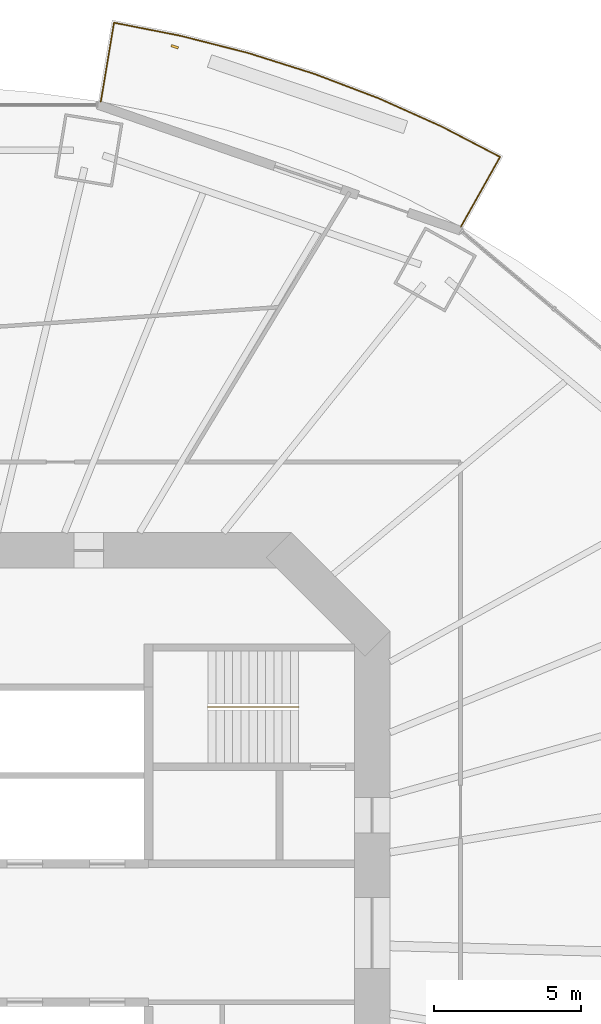
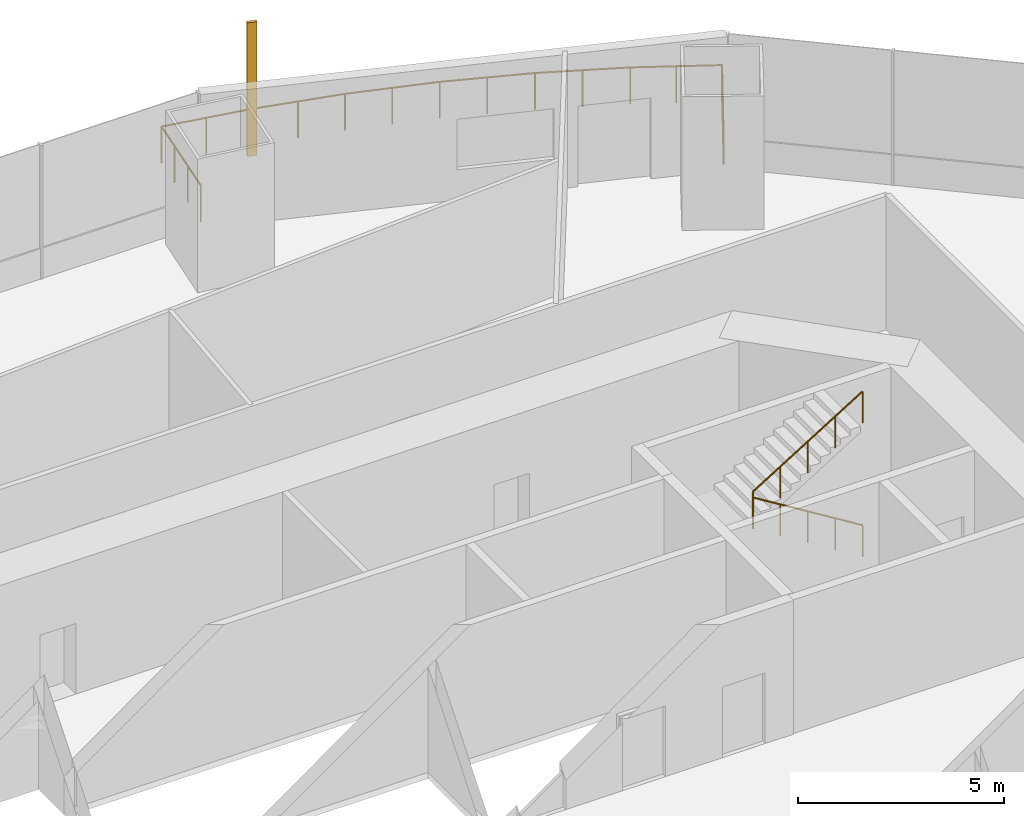
# One storey, part 20 of 22: 2 railings, 1 shading device.
"""IFC4 building model written with IfcOpenShell, lengths in metres."""

from ifc_helpers import new_model, si_unit, direction, frame, origin, origin_2d, place, context, subcontext, project, spatial, rectangle, circle, extrude, material, material_profile, profile_set, type_object, element, save


model = new_model("IFC4")

# Units and contexts
model_context = context("Model", 3, precision=1e-05, world=origin(), true_north=direction((0.0, 1.0)))
body_context = subcontext(model_context, "Body", "Model", "MODEL_VIEW")
ifc_project = project(units=[si_unit("LENGTHUNIT", "METRE"), si_unit("AREAUNIT", "SQUARE_METRE"), si_unit("VOLUMEUNIT", "CUBIC_METRE"), si_unit("PLANEANGLEUNIT", "RADIAN"), si_unit("MASSUNIT", "GRAM", prefix="KILO")], contexts=[model_context])

# Site, building, storey
site_placement = place(None, origin())
site = spatial("IfcSite", under=ifc_project, at=site_placement, CompositionType="ELEMENT")
building_placement = place(site_placement, origin())
building = spatial("IfcBuilding", under=site, at=building_placement, Name="Marenthal Gate Tower", CompositionType="ELEMENT")
storey_placement = place(building_placement, frame((0.0, 0.0, 111.85009765625)))
storey = spatial("IfcBuildingStorey", under=building, at=storey_placement, Name="L23", CompositionType="ELEMENT", Elevation=111.85009765625)

# Railings
ifc_material_1 = material(Name="Stainless steel", Category="steel")
railing_type_1 = type_object("IfcRailingType", Name="Balcony guard 1100", PredefinedType="GUARDRAIL", material=ifc_material_1)
railing_1_placement = place(storey_placement, frame((6.779541015625, 28.241455078125, 0.0)))
element("IfcRailing", 1, at=railing_1_placement, inside=storey, type_object=railing_type_1, Name="Balcony guard L23 bay 3", PredefinedType="GUARDRAIL", context=body_context, shape_type="SweptSolid", body=[
    extrude(circle(Radius=0.02392578125, at=origin_2d()), frame((0.0, 0.0, 1.076171875), z_axis=(0.164686797849, 0.986236088047, -0.014718602097), x_axis=(-0.986342933143, 0.164704639396, 0.0)), (0.0, 0.0, 1.0), 2.72021484375),
    extrude(circle(Radius=0.02392578125, at=origin_2d()), frame((0.447998046875, 2.682861328125, 1.0361328125), z_axis=(0.981215853429, -0.192913060677, 0.0), x_axis=(0.192913060677, 0.981215853429, 0.0)), (0.0, 0.0, 1.0), 2.302001953125),
    extrude(circle(Radius=0.02392578125, at=origin_2d()), frame((2.706787109375, 2.23876953125, 1.0361328125), z_axis=(0.969104776695, -0.246649410675, 0.0), x_axis=(0.246649410675, 0.969104776695, 0.0)), (0.0, 0.0, 1.0), 2.37255859375),
    extrude(circle(Radius=0.02392578125, at=origin_2d()), frame((5.006103515625, 1.653564453125, 1.0361328125), z_axis=(0.953609232067, -0.30104722639, 0.0), x_axis=(0.30104722639, 0.953609232067, 0.0)), (0.0, 0.0, 1.0), 2.36083984375),
    extrude(circle(Radius=0.02392578125, at=origin_2d()), frame((7.25732421875, 0.94287109375, 1.0361328125), z_axis=(0.934764240257, -0.35526865206, 0.0), x_axis=(0.35526865206, 0.934764240257, 0.0)), (0.0, 0.0, 1.0), 2.347412109375),
    extrude(circle(Radius=0.02392578125, at=origin_2d()), frame((9.45166015625, 0.10888671875, 1.0361328125), z_axis=(0.912494502903, -0.409088966083, 0.0), x_axis=(0.409088966083, 0.912494502903, 0.0)), (0.0, 0.0, 1.0), 2.332275390625),
    extrude(circle(Radius=0.02392578125, at=origin_2d()), frame((11.579833984375, -0.84521484375, 1.0361328125), z_axis=(0.887125590865, -0.461528098855, 0.0), x_axis=(0.461528098855, 0.887125590865, 0.0)), (0.0, 0.0, 1.0), 2.235595703125),
    extrude(circle(Radius=0.02392578125, at=origin_2d()), frame((13.56298828125, -1.876953125, 1.0361328125), z_axis=(-0.489197979897, -0.87204857286, 0.014718119373), x_axis=(0.872143041114, -0.489250974283, 0.0)), (0.0, 0.0, 1.0), 2.720458984375),
    extrude(circle(Radius=0.02099609375, at=origin_2d()), origin(), (0.0, 0.0, 1.0), 1.052001953125),
    extrude(circle(Radius=0.02099609375, at=origin_2d()), frame((0.1494140625, 0.894287109375, -0.013427734375)), (0.0, 0.0, 1.0), 1.052001953125),
    extrude(circle(Radius=0.02099609375, at=origin_2d()), frame((0.298583984375, 1.78857421875, -0.026611328125)), (0.0, 0.0, 1.0), 1.052001953125),
    extrude(circle(Radius=0.02099609375, at=origin_2d()), frame((0.447998046875, 2.682861328125, -0.0400390625)), (0.0, 0.0, 1.0), 1.052001953125),
    extrude(circle(Radius=0.02099609375, at=origin_2d()), frame((1.577392578125, 2.4609375, -0.0400390625)), (0.0, 0.0, 1.0), 1.052001953125),
    extrude(circle(Radius=0.02099609375, at=origin_2d()), frame((2.706787109375, 2.23876953125, -0.0400390625)), (0.0, 0.0, 1.0), 1.052001953125),
    extrude(circle(Radius=0.02099609375, at=origin_2d()), frame((3.8564453125, 1.9462890625, -0.0400390625)), (0.0, 0.0, 1.0), 1.052001953125),
    extrude(circle(Radius=0.02099609375, at=origin_2d()), frame((5.006103515625, 1.653564453125, -0.0400390625)), (0.0, 0.0, 1.0), 1.052001953125),
    extrude(circle(Radius=0.02099609375, at=origin_2d()), frame((6.1318359375, 1.29833984375, -0.0400390625)), (0.0, 0.0, 1.0), 1.052001953125),
    extrude(circle(Radius=0.02099609375, at=origin_2d()), frame((7.25732421875, 0.94287109375, -0.0400390625)), (0.0, 0.0, 1.0), 1.052001953125),
    extrude(circle(Radius=0.02099609375, at=origin_2d()), frame((8.3544921875, 0.52587890625, -0.0400390625)), (0.0, 0.0, 1.0), 1.052001953125),
    extrude(circle(Radius=0.02099609375, at=origin_2d()), frame((9.45166015625, 0.10888671875, -0.0400390625)), (0.0, 0.0, 1.0), 1.052001953125),
    extrude(circle(Radius=0.02099609375, at=origin_2d()), frame((10.515625, -0.3681640625, -0.0400390625)), (0.0, 0.0, 1.0), 1.052001953125),
    extrude(circle(Radius=0.02099609375, at=origin_2d()), frame((11.579833984375, -0.84521484375, -0.0400390625)), (0.0, 0.0, 1.0), 1.052001953125),
    extrude(circle(Radius=0.02099609375, at=origin_2d()), frame((12.5712890625, -1.361083984375, -0.0400390625)), (0.0, 0.0, 1.0), 1.052001953125),
    extrude(circle(Radius=0.02099609375, at=origin_2d()), frame((13.56298828125, -1.876953125, -0.0400390625)), (0.0, 0.0, 1.0), 1.052001953125),
    extrude(circle(Radius=0.02099609375, at=origin_2d()), frame((13.119384765625, -2.667724609375, -0.026611328125)), (0.0, 0.0, 1.0), 1.052001953125),
    extrude(circle(Radius=0.02099609375, at=origin_2d()), frame((12.67578125, -3.45849609375, -0.013427734375)), (0.0, 0.0, 1.0), 1.052001953125),
    extrude(circle(Radius=0.02099609375, at=origin_2d()), frame((12.232177734375, -4.249267578125, 0.0)), (0.0, 0.0, 1.0), 1.052001953125),
])
ifc_material_2 = material(Name="Stainless steel", Category="steel")
railing_type_2 = type_object("IfcRailingType", Name="Stair handrail", PredefinedType="HANDRAIL", material=ifc_material_2)
railing_2_placement = place(storey_placement, frame((13.5, 7.675048828125, 0.1728515625)))
element("IfcRailing", 2, at=railing_2_placement, inside=storey, type_object=railing_type_2, Name="Handrail ST3", PredefinedType="HANDRAIL", context=body_context, shape_type="SweptSolid", body=[
    extrude(circle(Radius=0.0224609375, at=origin_2d()), frame((0.0, 0.0, 0.927490234375), z_axis=(-0.850835241893, 0.0, 0.525432575268), x_axis=(0.0, -1.0, 0.0)), (0.0, 0.0, 1.0), 3.6201171875),
    extrude(circle(Radius=0.0224609375, at=origin_2d()), frame((-3.080078125, 0.0, 2.82958984375), z_axis=(0.0, 0.0, 1.0), x_axis=(1.0, 0.0, 0.0)), (0.0, 0.0, 1.0), 0.1728515625),
    extrude(circle(Radius=0.0224609375, at=origin_2d()), frame((-3.080078125, 0.0, 3.00244140625), z_axis=(0.850835241893, 0.0, 0.525432575268), x_axis=(0.0, 1.0, 0.0)), (0.0, 0.0, 1.0), 3.6201171875),
    extrude(circle(Radius=0.02001953125, at=origin_2d()), origin(), (0.0, 0.0, 1.0), 0.905029296875),
    extrude(circle(Radius=0.02001953125, at=origin_2d()), frame((-0.77001953125, 0.0, 0.4755859375)), (0.0, 0.0, 1.0), 0.905029296875),
    extrude(circle(Radius=0.02001953125, at=origin_2d()), frame((-1.5400390625, 0.0, 0.951171875)), (0.0, 0.0, 1.0), 0.905029296875),
    extrude(circle(Radius=0.02001953125, at=origin_2d()), frame((-2.31005859375, 0.0, 1.426513671875)), (0.0, 0.0, 1.0), 0.905029296875),
    extrude(circle(Radius=0.02001953125, at=origin_2d()), frame((-3.080078125, 0.0, 1.902099609375)), (0.0, 0.0, 1.0), 0.905029296875),
    extrude(circle(Radius=0.02001953125, at=origin_2d()), frame((-3.080078125, 0.0, 2.074951171875)), (0.0, 0.0, 1.0), 0.905029296875),
    extrude(circle(Radius=0.02001953125, at=origin_2d()), frame((-2.31005859375, 0.0, 2.550537109375)), (0.0, 0.0, 1.0), 0.905029296875),
    extrude(circle(Radius=0.02001953125, at=origin_2d()), frame((-1.5400390625, 0.0, 3.02587890625)), (0.0, 0.0, 1.0), 0.905029296875),
    extrude(circle(Radius=0.02001953125, at=origin_2d()), frame((-0.77001953125, 0.0, 3.50146484375)), (0.0, 0.0, 1.0), 0.905029296875),
    extrude(circle(Radius=0.02001953125, at=origin_2d()), frame((0.0, 0.0, 3.97705078125)), (0.0, 0.0, 1.0), 0.905029296875),
])

# Shading device
ifc_material_3 = material(Name="Terracotta", Category="masonry")
ifc_material_profile = material_profile(ifc_material_3, rectangle(XDim=0.25, YDim=0.080078125, at=origin_2d()), Name="Terracotta baguette 250x80")
ifc_profile_set = profile_set([ifc_material_profile], Name="Terracotta")
shading_device_type = type_object("IfcShadingDeviceType", Name="Terracotta BAGUETTE SCREEN 250x80", PredefinedType="USERDEFINED", material=ifc_profile_set)
shading_device_placement = place(storey_placement, frame((9.29296875, 30.107666015625, -0.0400390625), z_axis=(0.0, 0.0, 1.0), x_axis=(-0.94459732274, 0.328231469959, 0.0)))
element("IfcShadingDevice", 3, at=shading_device_placement, inside=storey, type_object=shading_device_type, Name="Terracotta BAGUETTE L23 bay 3R", ObjectType="BAGUETTE SCREEN", PredefinedType="USERDEFINED", context=body_context, shape_type="SweptSolid", body=[
    extrude(rectangle(XDim=0.25, YDim=0.080078125, at=origin_2d()), origin(), (0.0, 0.0, 1.0), 3.969970703125),
])

save(model, "model.ifc")
